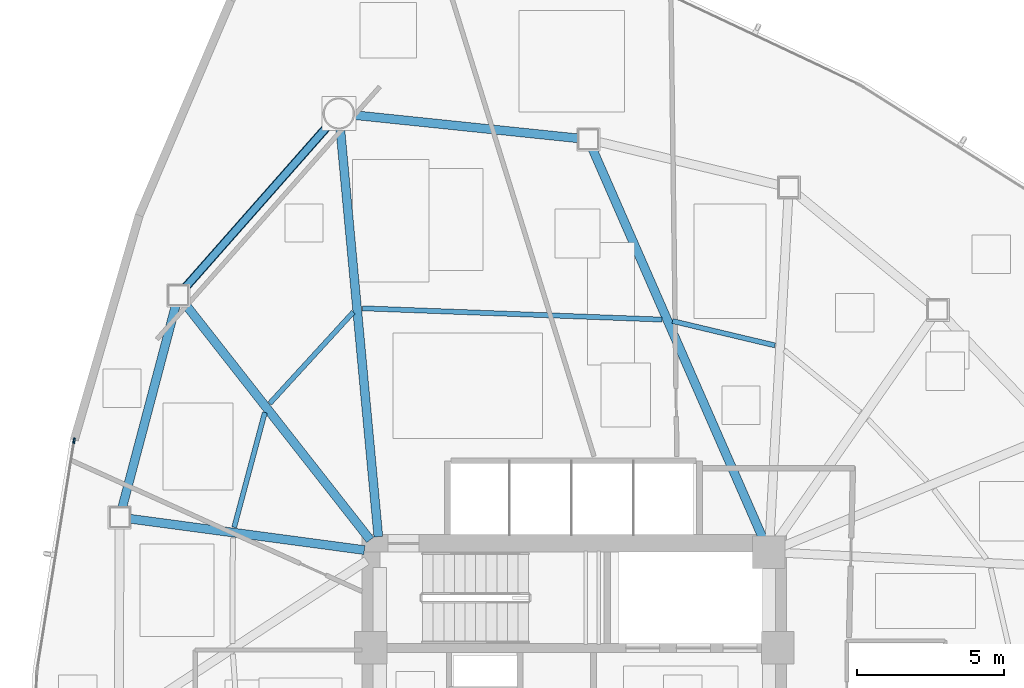
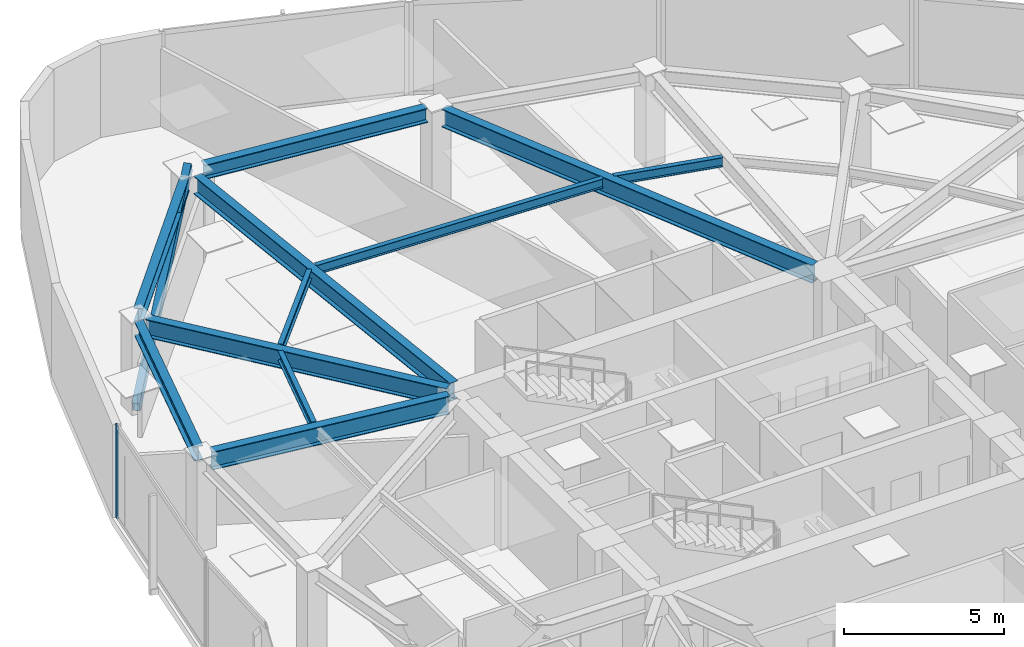
# One storey, part 7 of 17: 11 beams, 2 members, 1 element without a shape of its own.
"""IFC4 building model written with IfcOpenShell, lengths in metres."""

from ifc_helpers import new_model, si_unit, direction, frame, origin, origin_2d, place, context, subcontext, project, spatial, hollow_rectangle, i_section, extrude, source, transform, mapped, material, layer, layer_set, material_profile, profile_set, type_object, type_shapes, element, aggregate, save


model = new_model("IFC4")

# Units and contexts
model_context = context("Model", 3, precision=1e-05, world=origin(), true_north=direction((0.0, 1.0)))
body_context = subcontext(model_context, "Body", "Model", "MODEL_VIEW")
ifc_project = project(units=[si_unit("LENGTHUNIT", "METRE"), si_unit("AREAUNIT", "SQUARE_METRE"), si_unit("VOLUMEUNIT", "CUBIC_METRE"), si_unit("PLANEANGLEUNIT", "RADIAN"), si_unit("MASSUNIT", "GRAM", prefix="KILO")], contexts=[model_context])

# Site, building, storey
site_placement = place(None, origin())
site = spatial("IfcSite", under=ifc_project, at=site_placement, CompositionType="ELEMENT")
building_placement = place(site_placement, origin())
building = spatial("IfcBuilding", under=site, at=building_placement, Name="Tavelor Broadcast Tower", CompositionType="ELEMENT")
storey_placement = place(building_placement, frame((0.0, 0.0, 134.85009765625)))
storey = spatial("IfcBuildingStorey", under=building, at=storey_placement, Name="L31", CompositionType="ELEMENT", Elevation=134.85009765625)

# Beams
ifc_material_1 = material(Name="Steel S355", Category="steel")
ifc_material_profile_1 = material_profile(ifc_material_1, i_section(OverallWidth=0.169921875, OverallDepth=0.360107421875, WebThickness=0.008056640625, FlangeThickness=0.0126953125, at=origin_2d()), Name="IPE 360")
ifc_profile_set_1 = profile_set([ifc_material_profile_1], Name="Steel S355")
beam_type_1 = type_object("IfcBeamType", Name="Composite Floor Joist T3 IPE 360", PredefinedType="JOIST", material=ifc_profile_set_1)
beam_1_placement = place(storey_placement, frame((42.505126953125, 59.344970703125, 3.369873046875), z_axis=(-0.675177020038, -0.737655740581, 0.0), x_axis=(0.737655740581, -0.675177020038, 0.0)))
element("IfcBeam", 1, at=beam_1_placement, inside=storey, type_object=beam_type_1, Name="L31 Secondary Composite Floor Joist 01", PredefinedType="JOIST", context=body_context, shape_type="SweptSolid", body=[
    extrude(i_section(OverallWidth=0.169921875, OverallDepth=0.360107421875, WebThickness=0.008056640625, FlangeThickness=0.0126953125, at=origin_2d()), origin(), (0.0, 0.0, 1.0), 4.20068359375),
])
beam_2_placement = place(storey_placement, frame((39.5, 55.937744140625, 3.369873046875), z_axis=(-0.257647578953, -0.966238958571, 0.0), x_axis=(0.966238958571, -0.257647578953, 0.0)))
element("IfcBeam", 2, at=beam_2_placement, inside=storey, type_object=beam_type_1, Name="L31 Secondary Composite Floor Joist 02", PredefinedType="JOIST", context=body_context, shape_type="SweptSolid", body=[
    extrude(i_section(OverallWidth=0.169921875, OverallDepth=0.360107421875, WebThickness=0.008056640625, FlangeThickness=0.0126953125, at=origin_2d()), origin(), (0.0, 0.0, 1.0), 4.032958984375),
])
beam_3_placement = place(storey_placement, frame((56.80517578125, 58.21240234375, 3.369873046875), z_axis=(-0.972854549724, 0.231417426056, 0.0), x_axis=(-0.231417426056, -0.972854549724, 0.0)))
element("IfcBeam", 3, at=beam_3_placement, inside=storey, type_object=beam_type_1, Name="L31 Secondary Composite Floor Joist 17", PredefinedType="JOIST", context=body_context, shape_type="SweptSolid", body=[
    extrude(i_section(OverallWidth=0.169921875, OverallDepth=0.360107421875, WebThickness=0.008056640625, FlangeThickness=0.0126953125, at=origin_2d()), origin(), (0.0, 0.0, 1.0), 3.575439453125),
])
beam_4_placement = place(storey_placement, frame((52.969970703125, 59.08837890625, 3.369873046875), z_axis=(-0.999289376722, 0.037692725691, 0.0), x_axis=(-0.037692725691, -0.999289376722, 0.0)))
element("IfcBeam", 4, at=beam_4_placement, inside=storey, type_object=beam_type_1, Name="L31 Secondary Composite Floor Joist 18", PredefinedType="JOIST", context=body_context, shape_type="SweptSolid", body=[
    extrude(i_section(OverallWidth=0.169921875, OverallDepth=0.360107421875, WebThickness=0.008056640625, FlangeThickness=0.0126953125, at=origin_2d()), origin(), (0.0, 0.0, 1.0), 10.169189453125),
])
ifc_material_profile_2 = material_profile(ifc_material_1, i_section(OverallWidth=0.300048828125, OverallDepth=0.550048828125, WebThickness=0.014892578125, FlangeThickness=0.029052734375, at=origin_2d()), Name="HEB 550")
ifc_profile_set_2 = profile_set([ifc_material_profile_2], Name="Steel S355")
beam_type_2 = type_object("IfcBeamType", Name="Perimeter Spandrel Beam T3 HEB 550", PredefinedType="SPANDREL", material=ifc_profile_set_2)
beam_5_placement = place(storey_placement, frame((41.67236328125, 65.69580078125, 3.27490234375), z_axis=(-0.661628202511, -0.749832062292, 0.0), x_axis=(0.749832062292, -0.661628202511, 0.0)))
element("IfcBeam", 5, at=beam_5_placement, inside=storey, type_object=beam_type_2, Name="L31 Framed-Tube Ring Spandrel 01", PredefinedType="SPANDREL", context=body_context, shape_type="SweptSolid", body=[
    extrude(i_section(OverallWidth=0.300048828125, OverallDepth=0.550048828125, WebThickness=0.014892578125, FlangeThickness=0.029052734375, at=origin_2d()), origin(), (0.0, 0.0, 1.0), 7.379150390625),
])
beam_6_placement = place(storey_placement, frame((36.481689453125, 59.5859375, 3.27490234375), z_axis=(-0.255779440044, -0.966735164381, 0.0), x_axis=(0.966735164381, -0.255779440044, 0.0)))
element("IfcBeam", 6, at=beam_6_placement, inside=storey, type_object=beam_type_2, Name="L31 Framed-Tube Ring Spandrel 02", PredefinedType="SPANDREL", context=body_context, shape_type="SweptSolid", body=[
    extrude(i_section(OverallWidth=0.300048828125, OverallDepth=0.550048828125, WebThickness=0.014892578125, FlangeThickness=0.029052734375, at=origin_2d()), origin(), (0.0, 0.0, 1.0), 7.11865234375),
])
beam_7_placement = place(storey_placement, frame((50.13818359375, 65.23681640625, 3.27490234375), z_axis=(-0.994661371522, 0.103192809834, 0.0), x_axis=(-0.103192809834, -0.994661371522, 0.0)))
element("IfcBeam", 7, at=beam_7_placement, inside=storey, type_object=beam_type_2, Name="L31 Framed-Tube Ring Spandrel 18", PredefinedType="SPANDREL", context=body_context, shape_type="SweptSolid", body=[
    extrude(i_section(OverallWidth=0.300048828125, OverallDepth=0.550048828125, WebThickness=0.014892578125, FlangeThickness=0.029052734375, at=origin_2d()), origin(), (0.0, 0.0, 1.0), 7.658203125),
])

# Member
ifc_material_profile_3 = material_profile(ifc_material_1, hollow_rectangle(XDim=0.25, YDim=0.449951171875, WallThickness=0.02001953125, at=origin_2d()), Name="RHS 450x250x20")
ifc_profile_set_3 = profile_set([ifc_material_profile_3], Name="Steel S355")
member_type_1 = type_object("IfcMemberType", Name="Perimeter Tube Brace T3 RHS 450x250x20", PredefinedType="BRACE", material=ifc_profile_set_3)
member_1_placement = place(storey_placement, frame((36.567626953125, 59.91064453125, 0.0), z_axis=(0.607491147602, 0.688491783644, 0.396148418448), x_axis=(-0.74983872131, 0.661620655681, 0.0)))
element("IfcMember", 8, at=member_1_placement, inside=storey, type_object=member_type_1, Name="L31 Corner Tube Diagonal Brace 1", PredefinedType="BRACE", context=body_context, shape_type="SweptSolid", body=[
    extrude(hollow_rectangle(XDim=0.25, YDim=0.449951171875, WallThickness=0.02001953125, at=origin_2d()), origin(), (0.0, 0.0, 1.0), 8.960693359375),
])

# Beams
ifc_material_profile_4 = material_profile(ifc_material_1, i_section(OverallWidth=0.300048828125, OverallDepth=0.68994140625, WebThickness=0.014404296875, FlangeThickness=0.027099609375, at=origin_2d()), Name="HEA 700")
ifc_profile_set_4 = profile_set([ifc_material_profile_4], Name="Steel S355")
beam_type_3 = type_object("IfcBeamType", Name="Radial Floor Girder T3 HEA 700", PredefinedType="BEAM", material=ifc_profile_set_4)
beam_8_placement = place(storey_placement, frame((43.350830078125, 51.7255859375, 3.204833984375), z_axis=(-0.092918079293, 0.995673757081, 0.0), x_axis=(-0.995673757081, -0.092918079293, 0.0)))
element("IfcBeam", 9, at=beam_8_placement, inside=storey, type_object=beam_type_3, Name="L31 Radial Primary Floor Girder 01", PredefinedType="BEAM", context=body_context, shape_type="SweptSolid", body=[
    extrude(i_section(OverallWidth=0.300048828125, OverallDepth=0.68994140625, WebThickness=0.014404296875, FlangeThickness=0.027099609375, at=origin_2d()), origin(), (0.0, 0.0, 1.0), 13.904541015625),
])
beam_9_placement = place(storey_placement, frame((43.07421875, 51.615478515625, 3.204833984375), z_axis=(-0.617166360417, 0.786832690964, 0.0), x_axis=(-0.786832690964, -0.617166360417, 0.0)))
element("IfcBeam", 10, at=beam_9_placement, inside=storey, type_object=beam_type_3, Name="L31 Radial Primary Floor Girder 02", PredefinedType="BEAM", context=body_context, shape_type="SweptSolid", body=[
    extrude(i_section(OverallWidth=0.300048828125, OverallDepth=0.68994140625, WebThickness=0.014404296875, FlangeThickness=0.027099609375, at=origin_2d()), origin(), (0.0, 0.0, 1.0), 10.20654296875),
])
beam_10_placement = place(storey_placement, frame((42.876708984375, 51.27001953125, 3.204833984375), z_axis=(-0.991191527329, 0.132436234281, 0.0), x_axis=(-0.132436234281, -0.991191527329, 0.0)))
element("IfcBeam", 11, at=beam_10_placement, inside=storey, type_object=beam_type_3, Name="L31 Radial Primary Floor Girder 03", PredefinedType="BEAM", context=body_context, shape_type="SweptSolid", body=[
    extrude(i_section(OverallWidth=0.300048828125, OverallDepth=0.68994140625, WebThickness=0.014404296875, FlangeThickness=0.027099609375, at=origin_2d()), origin(), (0.0, 0.0, 1.0), 8.039306640625),
])
beam_11_placement = place(storey_placement, frame((56.38818359375, 51.68359375, 3.204833984375), z_axis=(-0.400896102053, 0.916123526255, 0.0), x_axis=(-0.916123526255, -0.400896102053, 0.0)))
element("IfcBeam", 12, at=beam_11_placement, inside=storey, type_object=beam_type_3, Name="L31 Radial Primary Floor Girder 18", PredefinedType="BEAM", context=body_context, shape_type="SweptSolid", body=[
    extrude(i_section(OverallWidth=0.300048828125, OverallDepth=0.68994140625, WebThickness=0.014404296875, FlangeThickness=0.027099609375, at=origin_2d()), origin(), (0.0, 0.0, 1.0), 14.420166015625),
])

# Curtain wall, member
ifc_material_2 = material(Name="Architectural Anodized Aluminium", Category="aluminium")
ifc_layer = layer(ifc_material_2, 0.18994140625)
ifc_layer_set = layer_set([ifc_layer], Name="Architectural Anodized Aluminium")
curtain_wall_type = type_object("IfcCurtainWallType", Name="Tower Mid-Zone Acoustic Curtain Wall CW03", PredefinedType="NOTDEFINED", material=ifc_layer_set)
curtain_wall_placement = place(storey_placement, origin())
curtain_wall = element("IfcCurtainWall", 13, at=curtain_wall_placement, inside=storey, type_object=curtain_wall_type, Name="L31 Curtain Wall CW03 Run 313", PredefinedType="NOTDEFINED")
ifc_material_profile_5 = material_profile(ifc_material_2, hollow_rectangle(XDim=0.068115234375, YDim=0.18994140625, WallThickness=0.02197265625, at=origin_2d()), Name="RHS 68x190x22")
ifc_profile_set_5 = profile_set([ifc_material_profile_5], Name="Architectural Anodized Aluminium")
member_type_2 = type_object("IfcMemberType", Name="CW03 Extruded Aluminium Mullion 68x190", PredefinedType="MULLION", material=ifc_profile_set_5)
shared_shape = source(origin(), body_context, "Body", "SweptSolid", [
    extrude(hollow_rectangle(XDim=0.068115234375, YDim=0.18994140625, WallThickness=0.02197265625, at=origin_2d()), origin(), (0.0, 0.0, 1.0), 3.5498046875),
])
type_shapes(member_type_2, [shared_shape])
member_2_placement = place(storey_placement, frame((33.031494140625, 54.979736328125, 0.0), z_axis=(0.0, 0.0, 1.0), x_axis=(0.98720454021, -0.159459072455, 0.0)))
member_2 = element("IfcMember", 14, at=member_2_placement, type_object=member_type_2, Name="CW03 mullion 1", PredefinedType="MULLION", context=body_context, shape_type="MappedRepresentation", body=[
    mapped(shared_shape, transform((0.0, 0.0, 0.0), scale=1.0)),
])
aggregate(curtain_wall, [member_2])

save(model, "model.ifc")
